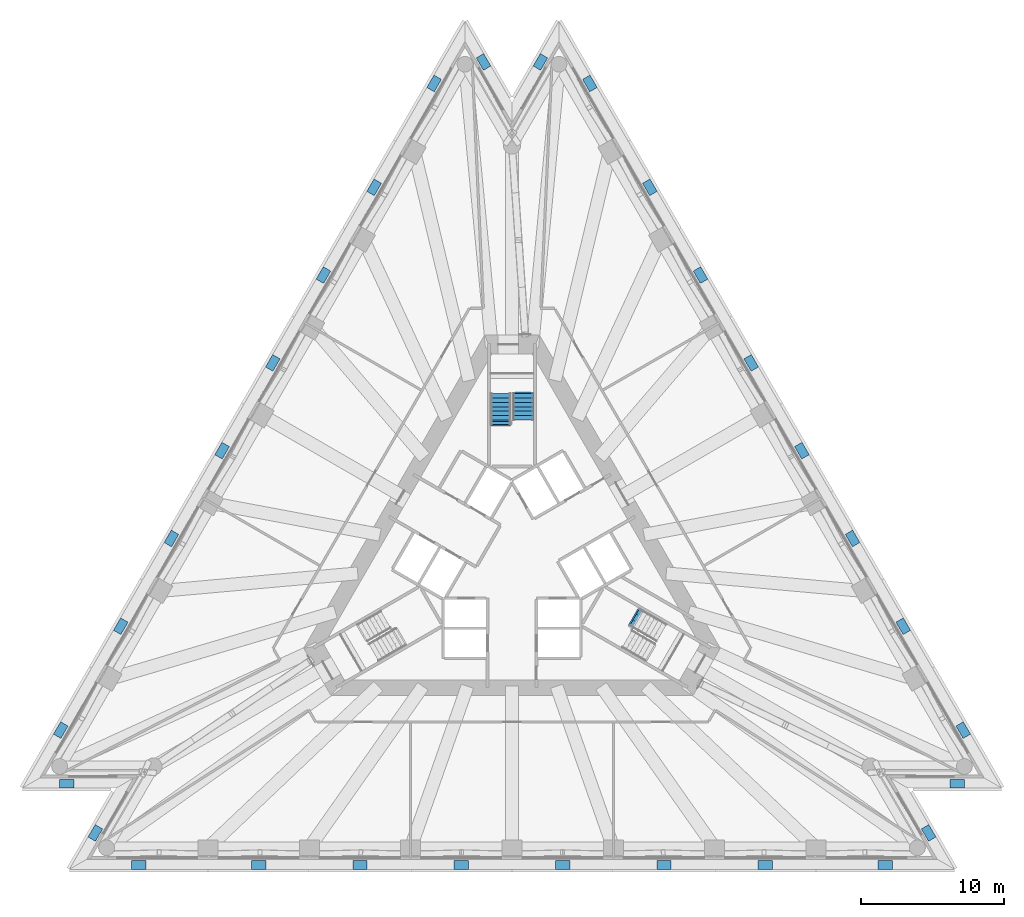
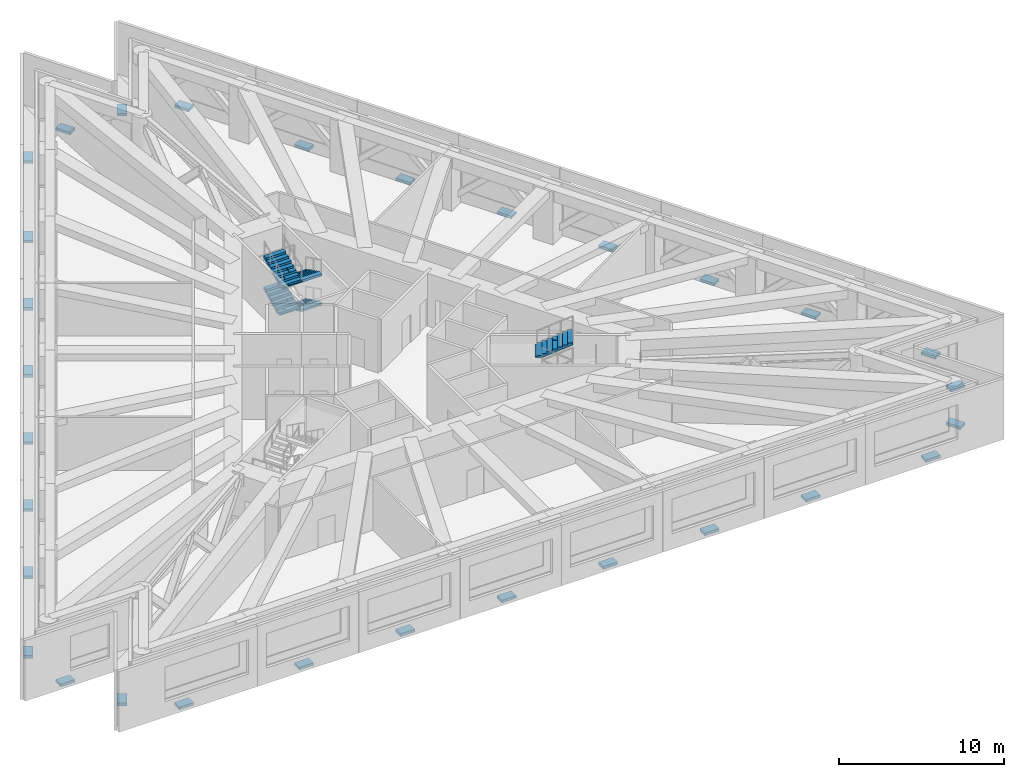
# One storey, part 11 of 13: 30 discrete accessories, 5 stair flights, 2 elements without a shape of their own.
"""IFC4 building model written with IfcOpenShell, lengths in metres."""

from ifc_helpers import new_model, si_unit, direction, frame, origin, origin_2d, place, context, subcontext, project, spatial, polyline, rectangle, outline, extrude, material, type_object, element, aggregate, save


model = new_model("IFC4")

# Units and contexts
model_context = context("Model", 3, precision=1e-05, world=origin(), true_north=direction((0.0, 1.0)))
body_context = subcontext(model_context, "Body", "Model", "MODEL_VIEW")
ifc_project = project(units=[si_unit("LENGTHUNIT", "METRE"), si_unit("AREAUNIT", "SQUARE_METRE"), si_unit("VOLUMEUNIT", "CUBIC_METRE"), si_unit("PLANEANGLEUNIT", "RADIAN"), si_unit("MASSUNIT", "GRAM", prefix="KILO")], contexts=[model_context])

# Site, building, storey
site_placement = place(None, origin())
site = spatial("IfcSite", under=ifc_project, at=site_placement, CompositionType="ELEMENT")
building_placement = place(site_placement, origin())
building = spatial("IfcBuilding", under=site, at=building_placement, Name="Triada Interchange Tower", CompositionType="ELEMENT")
storey_placement = place(building_placement, frame((0.0, 0.0, 95.300048828125)))
storey = spatial("IfcBuildingStorey", under=building, at=storey_placement, Name="L21", CompositionType="ELEMENT", Elevation=95.300048828125)

# Stair, stair flights
ifc_material_1 = material(Name="Concrete C35/45", Category="concrete")
stair_type = type_object("IfcStairType", Name="HALF TURN STAIR 1400", PredefinedType="HALF_TURN_STAIR", material=ifc_material_1)
stair_1_placement = place(storey_placement, origin())
stair_1 = element("IfcStair", 1, at=stair_1_placement, inside=storey, type_object=stair_type, Name="Exit stair S21-1", PredefinedType="HALF_TURN_STAIR")
stair_flight_type = type_object("IfcStairFlightType", Name="STRAIGHT STAIR FLIGHT 1400", PredefinedType="STRAIGHT", material=ifc_material_1)
stair_flight_1_placement = place(storey_placement, frame((0.800048828125, 11.60009765625, 0.0), z_axis=(0.0, 0.0, 1.0), x_axis=(0.0, -1.0, 0.0)))
stair_flight_1 = element("IfcStairFlight", 2, at=stair_flight_1_placement, type_object=stair_flight_type, Name="S21-1 flight 1", NumberOfRisers=7, NumberOfTreads=6, PredefinedType="STRAIGHT", RiserHeight=0.15517, TreadLength=0.31, context=body_context, shape_type="SweptSolid", body=[
    extrude(outline(polyline([(-0.10009765625, 0.0), (-0.10009765625, 0.02001953125), (0.0, 0.02001953125), (0.0, 0.1552734375), (0.31005859375, 0.1552734375), (0.31005859375, 0.310302734375), (0.6201171875, 0.310302734375), (0.6201171875, 0.465576171875), (0.929931640625, 0.465576171875), (0.929931640625, 0.62060546875), (1.239990234375, 0.62060546875), (1.239990234375, 0.77587890625), (1.550048828125, 0.77587890625), (1.550048828125, 0.930908203125), (1.860107421875, 0.930908203125), (1.864013671875, 0.930908203125), (1.864013671875, 1.086181640625), (1.864013671875, 0.763427734375), (0.3349609375, 0.0), (-0.10009765625, 0.0)])), frame((0.0, 0.699951171875, 0.0), z_axis=(0.0, -1.0, 0.0), x_axis=(1.0, 0.0, 0.0)), (0.0, 0.0, 1.0), 0.46533203125),
    extrude(outline(polyline([(-0.10009765625, 0.0), (-0.10009765625, 0.02001953125), (0.0, 0.02001953125), (0.0, 0.1552734375), (0.31005859375, 0.1552734375), (0.31005859375, 0.310302734375), (0.6201171875, 0.310302734375), (0.6201171875, 0.465576171875), (0.929931640625, 0.465576171875), (0.929931640625, 0.62060546875), (1.239990234375, 0.62060546875), (1.239990234375, 0.77587890625), (1.550048828125, 0.77587890625), (1.550048828125, 0.930908203125), (1.860107421875, 0.930908203125), (1.864013671875, 0.930908203125), (1.864013671875, 1.086181640625), (1.864013671875, 0.763427734375), (0.3349609375, 0.0), (-0.10009765625, 0.0)])), frame((0.0, 0.232666015625, 0.0), z_axis=(0.0, -1.0, 0.0), x_axis=(1.0, 0.0, 0.0)), (0.0, 0.0, 1.0), 0.46533203125),
    extrude(outline(polyline([(-0.10009765625, 0.0), (-0.10009765625, 0.02001953125), (0.0, 0.02001953125), (0.0, 0.1552734375), (0.31005859375, 0.1552734375), (0.31005859375, 0.310302734375), (0.6201171875, 0.310302734375), (0.6201171875, 0.465576171875), (0.929931640625, 0.465576171875), (0.929931640625, 0.62060546875), (1.239990234375, 0.62060546875), (1.239990234375, 0.77587890625), (1.550048828125, 0.77587890625), (1.550048828125, 0.930908203125), (1.860107421875, 0.930908203125), (1.864013671875, 0.930908203125), (1.864013671875, 1.086181640625), (1.864013671875, 0.763427734375), (0.3349609375, 0.0), (-0.10009765625, 0.0)])), frame((0.0, -0.234619140625, 0.0), z_axis=(0.0, -1.0, 0.0), x_axis=(1.0, 0.0, 0.0)), (0.0, 0.0, 1.0), 0.46533203125),
])
stair_flight_2_placement = place(storey_placement, frame((-0.800048828125, 9.739990234375, 1.086181640625), z_axis=(0.0, 0.0, 1.0), x_axis=(0.0, 1.0, 0.0)))
stair_flight_2 = element("IfcStairFlight", 3, at=stair_flight_2_placement, type_object=stair_flight_type, Name="S21-1 flight 2", NumberOfRisers=7, NumberOfTreads=6, PredefinedType="STRAIGHT", RiserHeight=0.15517, TreadLength=0.31, context=body_context, shape_type="SweptSolid", body=[
    extrude(outline(polyline([(-0.10009765625, 0.0), (-0.10009765625, 0.02001953125), (0.0, 0.02001953125), (0.0, 0.1552734375), (0.31005859375, 0.1552734375), (0.31005859375, 0.310302734375), (0.6201171875, 0.310302734375), (0.6201171875, 0.465576171875), (0.929931640625, 0.465576171875), (0.929931640625, 0.62060546875), (1.239990234375, 0.62060546875), (1.239990234375, 0.77587890625), (1.550048828125, 0.77587890625), (1.550048828125, 0.930908203125), (1.860107421875, 0.930908203125), (1.864013671875, 0.930908203125), (1.864013671875, 1.086181640625), (1.864013671875, 0.763427734375), (0.3349609375, 0.0), (-0.10009765625, 0.0)])), frame((0.0, 0.699951171875, 0.0), z_axis=(0.0, -1.0, 0.0), x_axis=(1.0, 0.0, 0.0)), (0.0, 0.0, 1.0), 0.46533203125),
    extrude(outline(polyline([(-0.10009765625, 0.0), (-0.10009765625, 0.02001953125), (0.0, 0.02001953125), (0.0, 0.1552734375), (0.31005859375, 0.1552734375), (0.31005859375, 0.310302734375), (0.6201171875, 0.310302734375), (0.6201171875, 0.465576171875), (0.929931640625, 0.465576171875), (0.929931640625, 0.62060546875), (1.239990234375, 0.62060546875), (1.239990234375, 0.77587890625), (1.550048828125, 0.77587890625), (1.550048828125, 0.930908203125), (1.860107421875, 0.930908203125), (1.864013671875, 0.930908203125), (1.864013671875, 1.086181640625), (1.864013671875, 0.763427734375), (0.3349609375, 0.0), (-0.10009765625, 0.0)])), frame((0.0, 0.232666015625, 0.0), z_axis=(0.0, -1.0, 0.0), x_axis=(1.0, 0.0, 0.0)), (0.0, 0.0, 1.0), 0.46533203125),
    extrude(outline(polyline([(-0.10009765625, 0.0), (-0.10009765625, 0.02001953125), (0.0, 0.02001953125), (0.0, 0.1552734375), (0.31005859375, 0.1552734375), (0.31005859375, 0.310302734375), (0.6201171875, 0.310302734375), (0.6201171875, 0.465576171875), (0.929931640625, 0.465576171875), (0.929931640625, 0.62060546875), (1.239990234375, 0.62060546875), (1.239990234375, 0.77587890625), (1.550048828125, 0.77587890625), (1.550048828125, 0.930908203125), (1.860107421875, 0.930908203125), (1.864013671875, 0.930908203125), (1.864013671875, 1.086181640625), (1.864013671875, 0.763427734375), (0.3349609375, 0.0), (-0.10009765625, 0.0)])), frame((0.0, -0.234619140625, 0.0), z_axis=(0.0, -1.0, 0.0), x_axis=(1.0, 0.0, 0.0)), (0.0, 0.0, 1.0), 0.46533203125),
])
stair_flight_3_placement = place(storey_placement, frame((0.800048828125, 11.60009765625, 2.17236328125), z_axis=(0.0, 0.0, 1.0), x_axis=(0.0, -1.0, 0.0)))
stair_flight_3 = element("IfcStairFlight", 4, at=stair_flight_3_placement, type_object=stair_flight_type, Name="S21-1 flight 3", NumberOfRisers=7, NumberOfTreads=6, PredefinedType="STRAIGHT", RiserHeight=0.15517, TreadLength=0.31, context=body_context, shape_type="SweptSolid", body=[
    extrude(outline(polyline([(-0.10009765625, 0.0), (-0.10009765625, 0.02001953125), (0.0, 0.02001953125), (0.0, 0.1552734375), (0.31005859375, 0.1552734375), (0.31005859375, 0.310302734375), (0.6201171875, 0.310302734375), (0.6201171875, 0.465576171875), (0.929931640625, 0.465576171875), (0.929931640625, 0.62060546875), (1.239990234375, 0.62060546875), (1.239990234375, 0.77587890625), (1.550048828125, 0.77587890625), (1.550048828125, 0.930908203125), (1.860107421875, 0.930908203125), (1.864013671875, 0.930908203125), (1.864013671875, 1.086181640625), (1.864013671875, 0.763427734375), (0.3349609375, 0.0), (-0.10009765625, 0.0)])), frame((0.0, 0.699951171875, 0.0), z_axis=(0.0, -1.0, 0.0), x_axis=(1.0, 0.0, 0.0)), (0.0, 0.0, 1.0), 0.46533203125),
    extrude(outline(polyline([(-0.10009765625, 0.0), (-0.10009765625, 0.02001953125), (0.0, 0.02001953125), (0.0, 0.1552734375), (0.31005859375, 0.1552734375), (0.31005859375, 0.310302734375), (0.6201171875, 0.310302734375), (0.6201171875, 0.465576171875), (0.929931640625, 0.465576171875), (0.929931640625, 0.62060546875), (1.239990234375, 0.62060546875), (1.239990234375, 0.77587890625), (1.550048828125, 0.77587890625), (1.550048828125, 0.930908203125), (1.860107421875, 0.930908203125), (1.864013671875, 0.930908203125), (1.864013671875, 1.086181640625), (1.864013671875, 0.763427734375), (0.3349609375, 0.0), (-0.10009765625, 0.0)])), frame((0.0, 0.232666015625, 0.0), z_axis=(0.0, -1.0, 0.0), x_axis=(1.0, 0.0, 0.0)), (0.0, 0.0, 1.0), 0.46533203125),
    extrude(outline(polyline([(-0.10009765625, 0.0), (-0.10009765625, 0.02001953125), (0.0, 0.02001953125), (0.0, 0.1552734375), (0.31005859375, 0.1552734375), (0.31005859375, 0.310302734375), (0.6201171875, 0.310302734375), (0.6201171875, 0.465576171875), (0.929931640625, 0.465576171875), (0.929931640625, 0.62060546875), (1.239990234375, 0.62060546875), (1.239990234375, 0.77587890625), (1.550048828125, 0.77587890625), (1.550048828125, 0.930908203125), (1.860107421875, 0.930908203125), (1.864013671875, 0.930908203125), (1.864013671875, 1.086181640625), (1.864013671875, 0.763427734375), (0.3349609375, 0.0), (-0.10009765625, 0.0)])), frame((0.0, -0.234619140625, 0.0), z_axis=(0.0, -1.0, 0.0), x_axis=(1.0, 0.0, 0.0)), (0.0, 0.0, 1.0), 0.46533203125),
])
stair_flight_4_placement = place(storey_placement, frame((-0.800048828125, 9.429931640625, 3.258544921875), z_axis=(0.0, 0.0, 1.0), x_axis=(0.0, 1.0, 0.0)))
stair_flight_4 = element("IfcStairFlight", 5, at=stair_flight_4_placement, type_object=stair_flight_type, Name="S21-1 flight 4", NumberOfRisers=8, NumberOfTreads=7, PredefinedType="STRAIGHT", RiserHeight=0.15517, TreadLength=0.31, context=body_context, shape_type="SweptSolid", body=[
    extrude(outline(polyline([(-0.10009765625, 0.0), (-0.10009765625, 0.02001953125), (0.0, 0.02001953125), (0.0, 0.1552734375), (0.31005859375, 0.1552734375), (0.31005859375, 0.310302734375), (0.6201171875, 0.310302734375), (0.6201171875, 0.465576171875), (0.929931640625, 0.465576171875), (0.929931640625, 0.62060546875), (1.239990234375, 0.62060546875), (1.239990234375, 0.77587890625), (1.550048828125, 0.77587890625), (1.550048828125, 0.930908203125), (1.860107421875, 0.930908203125), (1.860107421875, 1.086181640625), (2.169921875, 1.086181640625), (2.174072265625, 1.086181640625), (2.174072265625, 1.241455078125), (2.174072265625, 0.91845703125), (0.3349609375, 0.0), (-0.10009765625, 0.0)])), frame((0.0, 0.699951171875, 0.0), z_axis=(0.0, -1.0, 0.0), x_axis=(1.0, 0.0, 0.0)), (0.0, 0.0, 1.0), 0.46533203125),
    extrude(outline(polyline([(-0.10009765625, 0.0), (-0.10009765625, 0.02001953125), (0.0, 0.02001953125), (0.0, 0.1552734375), (0.31005859375, 0.1552734375), (0.31005859375, 0.310302734375), (0.6201171875, 0.310302734375), (0.6201171875, 0.465576171875), (0.929931640625, 0.465576171875), (0.929931640625, 0.62060546875), (1.239990234375, 0.62060546875), (1.239990234375, 0.77587890625), (1.550048828125, 0.77587890625), (1.550048828125, 0.930908203125), (1.860107421875, 0.930908203125), (1.860107421875, 1.086181640625), (2.169921875, 1.086181640625), (2.174072265625, 1.086181640625), (2.174072265625, 1.241455078125), (2.174072265625, 0.91845703125), (0.3349609375, 0.0), (-0.10009765625, 0.0)])), frame((0.0, 0.232666015625, 0.0), z_axis=(0.0, -1.0, 0.0), x_axis=(1.0, 0.0, 0.0)), (0.0, 0.0, 1.0), 0.46533203125),
    extrude(outline(polyline([(-0.10009765625, 0.0), (-0.10009765625, 0.02001953125), (0.0, 0.02001953125), (0.0, 0.1552734375), (0.31005859375, 0.1552734375), (0.31005859375, 0.310302734375), (0.6201171875, 0.310302734375), (0.6201171875, 0.465576171875), (0.929931640625, 0.465576171875), (0.929931640625, 0.62060546875), (1.239990234375, 0.62060546875), (1.239990234375, 0.77587890625), (1.550048828125, 0.77587890625), (1.550048828125, 0.930908203125), (1.860107421875, 0.930908203125), (1.860107421875, 1.086181640625), (2.169921875, 1.086181640625), (2.174072265625, 1.086181640625), (2.174072265625, 1.241455078125), (2.174072265625, 0.91845703125), (0.3349609375, 0.0), (-0.10009765625, 0.0)])), frame((0.0, -0.234619140625, 0.0), z_axis=(0.0, -1.0, 0.0), x_axis=(1.0, 0.0, 0.0)), (0.0, 0.0, 1.0), 0.46533203125),
])
aggregate(stair_1, [stair_flight_1, stair_flight_2, stair_flight_3, stair_flight_4])

# Stair, stair flight
stair_2_placement = place(storey_placement, origin())
stair_2 = element("IfcStair", 6, at=stair_2_placement, inside=storey, type_object=stair_type, Name="Exit stair S21-3", PredefinedType="HALF_TURN_STAIR")
stair_flight_5_placement = place(storey_placement, frame((8.56689453125, -4.02197265625, 3.258544921875), z_axis=(0.0, 0.0, 1.0), x_axis=(0.866025403784, -0.5, 0.0)))
stair_flight_5 = element("IfcStairFlight", 7, at=stair_flight_5_placement, type_object=stair_flight_type, Name="S21-3 flight 4", NumberOfRisers=8, NumberOfTreads=7, PredefinedType="STRAIGHT", RiserHeight=0.15517, TreadLength=0.31, context=body_context, shape_type="SweptSolid", body=[
    extrude(outline(polyline([(-0.10009765625, 0.0), (-0.10009765625, 0.02001953125), (0.0, 0.02001953125), (0.0, 0.1552734375), (0.31005859375, 0.1552734375), (0.31005859375, 0.310302734375), (0.6201171875, 0.310302734375), (0.6201171875, 0.465576171875), (0.929931640625, 0.465576171875), (0.929931640625, 0.62060546875), (1.239990234375, 0.62060546875), (1.239990234375, 0.77587890625), (1.550048828125, 0.77587890625), (1.550048828125, 0.930908203125), (1.860107421875, 0.930908203125), (1.860107421875, 1.086181640625), (2.169921875, 1.086181640625), (2.174072265625, 1.086181640625), (2.174072265625, 1.241455078125), (2.174072265625, 0.91845703125), (0.3349609375, 0.0), (-0.10009765625, 0.0)])), frame((0.0, 0.699951171875, 0.0), z_axis=(0.0, -1.0, 0.0), x_axis=(1.0, 0.0, 0.0)), (0.0, 0.0, 1.0), 0.46533203125),
    extrude(outline(polyline([(-0.10009765625, 0.0), (-0.10009765625, 0.02001953125), (0.0, 0.02001953125), (0.0, 0.1552734375), (0.31005859375, 0.1552734375), (0.31005859375, 0.310302734375), (0.6201171875, 0.310302734375), (0.6201171875, 0.465576171875), (0.929931640625, 0.465576171875), (0.929931640625, 0.62060546875), (1.239990234375, 0.62060546875), (1.239990234375, 0.77587890625), (1.550048828125, 0.77587890625), (1.550048828125, 0.930908203125), (1.860107421875, 0.930908203125), (1.860107421875, 1.086181640625), (2.169921875, 1.086181640625), (2.174072265625, 1.086181640625), (2.174072265625, 1.241455078125), (2.174072265625, 0.91845703125), (0.3349609375, 0.0), (-0.10009765625, 0.0)])), frame((0.0, 0.232666015625, 0.0), z_axis=(0.0, -1.0, 0.0), x_axis=(1.0, 0.0, 0.0)), (0.0, 0.0, 1.0), 0.46533203125),
    extrude(outline(polyline([(-0.10009765625, 0.0), (-0.10009765625, 0.02001953125), (0.0, 0.02001953125), (0.0, 0.1552734375), (0.31005859375, 0.1552734375), (0.31005859375, 0.310302734375), (0.6201171875, 0.310302734375), (0.6201171875, 0.465576171875), (0.929931640625, 0.465576171875), (0.929931640625, 0.62060546875), (1.239990234375, 0.62060546875), (1.239990234375, 0.77587890625), (1.550048828125, 0.77587890625), (1.550048828125, 0.930908203125), (1.860107421875, 0.930908203125), (1.860107421875, 1.086181640625), (2.169921875, 1.086181640625), (2.174072265625, 1.086181640625), (2.174072265625, 1.241455078125), (2.174072265625, 0.91845703125), (0.3349609375, 0.0), (-0.10009765625, 0.0)])), frame((0.0, -0.234619140625, 0.0), z_axis=(0.0, -1.0, 0.0), x_axis=(1.0, 0.0, 0.0)), (0.0, 0.0, 1.0), 0.46533203125),
])
aggregate(stair_2, [stair_flight_5])

# Discrete accessories
ifc_material_2 = material(Name="Steel S355", Category="steel")
discrete_accessory_type = type_object("IfcDiscreteAccessoryType", Name="Steel bracket outer skin", PredefinedType="BRACKET", material=ifc_material_2)
for number, where, z_axis, x_axis, name in (
    (8, (-5.43896484375, 33.2529296875, -0.27001953125), (0.0, 0.0, 1.0), (-0.86602144186, 0.500006862192, 0.0), "Bracket L21 01"),
    (9, (-9.6279296875, 25.9970703125, -0.27001953125), (0.0, 0.0, 1.0), (-0.86602144186, 0.500006862192, 0.0), "Bracket L21 02"),
    (10, (-13.16796875, 19.865966796875, -0.27001953125), (0.0, 0.0, 1.0), (-0.86602144186, 0.500006862192, 0.0), "Bracket L21 03"),
    (11, (-16.7080078125, 13.73388671875, -0.27001953125), (0.0, 0.0, 1.0), (-0.86602144186, 0.500006862192, 0.0), "Bracket L21 04"),
    (12, (-20.248046875, 7.60302734375, -0.27001953125), (0.0, 0.0, 1.0), (-0.86602144186, 0.500006862192, 0.0), "Bracket L21 05"),
    (13, (-23.7880859375, 1.470947265625, -0.27001953125), (0.0, 0.0, 1.0), (-0.86602144186, 0.500006862192, 0.0), "Bracket L21 06"),
    (14, (-27.327880859375, -4.659912109375, -0.27001953125), (0.0, 0.0, 1.0), (-0.86602144186, 0.500006862192, 0.0), "Bracket L21 07"),
    (15, (-31.51806640625, -11.916015625, -0.27001953125), (0.0, 0.0, 1.0), (-0.86602144186, 0.500006862192, 0.0), "Bracket L21 08"),
    (16, (-31.091064453125, -15.656982421875, -0.27001953125), (0.0, 0.0, 1.0), (0.0, -1.0, 0.0), "Bracket L21 09"),
    (17, (-29.10400390625, -19.096923828125, -0.27001953125), (0.0, 0.0, 1.0), (-0.866048476115, 0.499960035422, 0.0), "Bracket L21 10"),
    (18, (-26.077880859375, -21.3369140625, -0.27001953125), (0.0, 0.0, 1.0), (0.0, -1.0, 0.0), "Bracket L21 11"),
    (19, (-17.698974609375, -21.3369140625, -0.27001953125), (0.0, 0.0, 1.0), (0.0, -1.0, 0.0), "Bracket L21 12"),
    (20, (-10.6201171875, -21.3369140625, -0.27001953125), (0.0, 0.0, 1.0), (0.0, -1.0, 0.0), "Bracket L21 13"),
    (21, (-3.5400390625, -21.3369140625, -0.27001953125), (0.0, 0.0, 1.0), (0.0, -1.0, 0.0), "Bracket L21 14"),
    (22, (3.5400390625, -21.3369140625, -0.27001953125), (0.0, 0.0, 1.0), (0.0, -1.0, 0.0), "Bracket L21 15"),
    (23, (10.6201171875, -21.3369140625, -0.27001953125), (0.0, 0.0, 1.0), (0.0, -1.0, 0.0), "Bracket L21 16"),
    (24, (17.698974609375, -21.3369140625, -0.27001953125), (0.0, 0.0, 1.0), (0.0, -1.0, 0.0), "Bracket L21 17"),
    (25, (26.077880859375, -21.3369140625, -0.27001953125), (0.0, 0.0, 1.0), (0.0, -1.0, 0.0), "Bracket L21 18"),
    (26, (29.10400390625, -19.096923828125, -0.27001953125), (0.0, 0.0, 1.0), (0.866048476115, 0.499960035422, 0.0), "Bracket L21 19"),
    (27, (31.091064453125, -15.656982421875, -0.27001953125), (0.0, 0.0, 1.0), (0.0, -1.0, 0.0), "Bracket L21 20"),
    (28, (31.51806640625, -11.916015625, -0.27001953125), (0.0, 0.0, 1.0), (0.86602144186, 0.500006862192, 0.0), "Bracket L21 21"),
    (29, (27.327880859375, -4.659912109375, -0.27001953125), (0.0, 0.0, 1.0), (0.86602144186, 0.500006862192, 0.0), "Bracket L21 22"),
    (30, (23.7880859375, 1.470947265625, -0.27001953125), (0.0, 0.0, 1.0), (0.86602144186, 0.500006862192, 0.0), "Bracket L21 23"),
    (31, (20.248046875, 7.60302734375, -0.27001953125), (0.0, 0.0, 1.0), (0.86602144186, 0.500006862192, 0.0), "Bracket L21 24"),
    (32, (16.7080078125, 13.73388671875, -0.27001953125), (0.0, 0.0, 1.0), (0.86602144186, 0.500006862192, 0.0), "Bracket L21 25"),
    (33, (13.16796875, 19.865966796875, -0.27001953125), (0.0, 0.0, 1.0), (0.86602144186, 0.500006862192, 0.0), "Bracket L21 26"),
    (34, (9.6279296875, 25.9970703125, -0.27001953125), (0.0, 0.0, 1.0), (0.86602144186, 0.500006862192, 0.0), "Bracket L21 27"),
    (35, (5.43896484375, 33.2529296875, -0.27001953125), (0.0, 0.0, 1.0), (0.86602144186, 0.500006862192, 0.0), "Bracket L21 28"),
    (36, (1.986083984375, 34.75390625, -0.27001953125), (0.0, 0.0, 1.0), (-0.866048476115, 0.499960035422, 0.0), "Bracket L21 29"),
    (37, (-1.986083984375, 34.75390625, -0.27001953125), (0.0, 0.0, 1.0), (0.866048476115, 0.499960035422, 0.0), "Bracket L21 30"),
):
    element("IfcDiscreteAccessory", number, at=place(storey_placement, frame(where, z_axis=z_axis, x_axis=x_axis)), inside=storey, type_object=discrete_accessory_type, Name=name, PredefinedType="BRACKET", context=body_context, shape_type="SweptSolid", body=[
        extrude(rectangle(XDim=0.60009765625, YDim=1.0, at=origin_2d()), origin(), (0.0, 0.0, 1.0), 0.199951171875),
    ])

save(model, "model.ifc")
